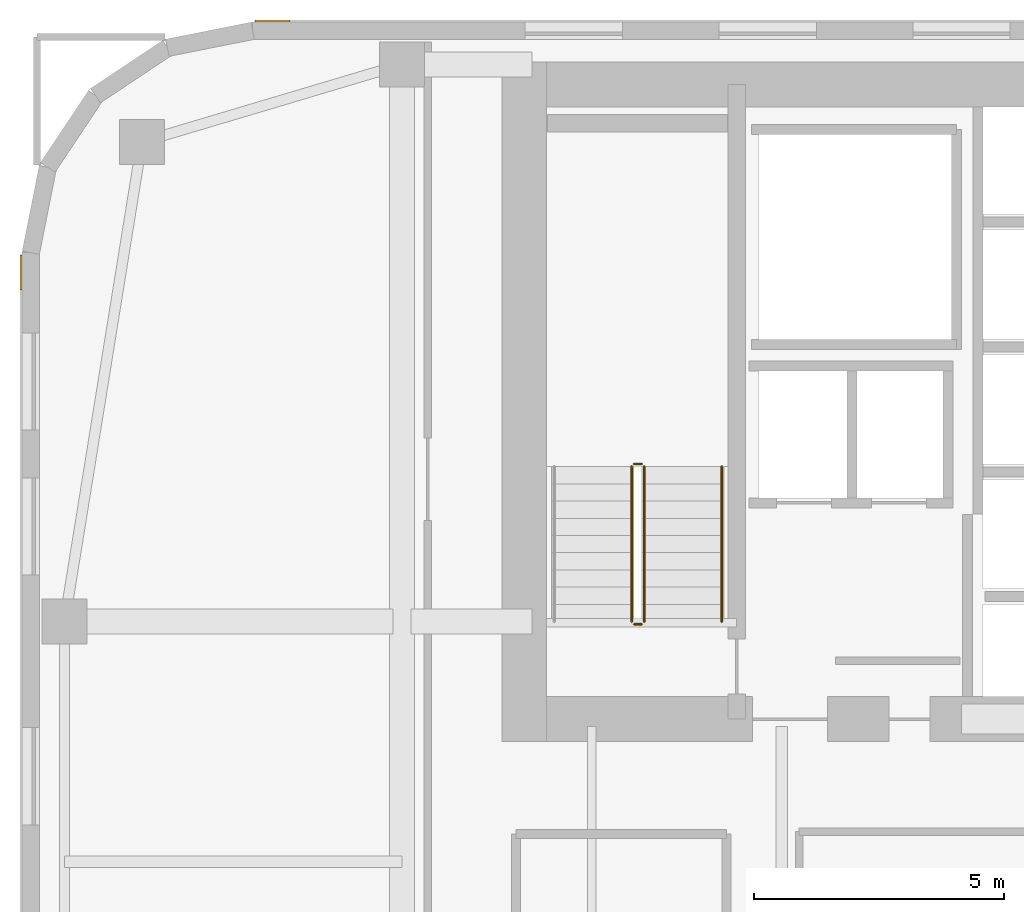
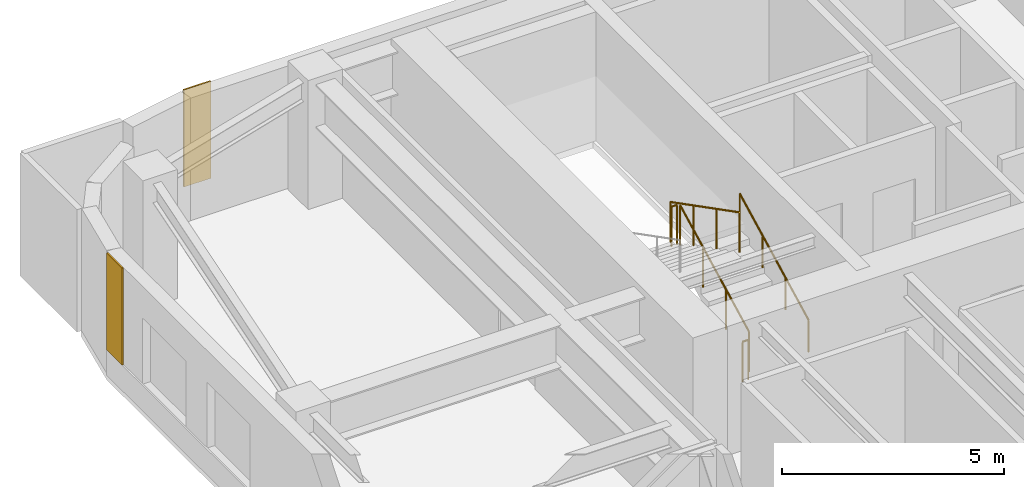
# One storey, part 22 of 24: 5 railings, 2 coverings.
"""IFC4 building model written with IfcOpenShell, lengths in metres."""

from ifc_helpers import new_model, si_unit, direction, frame, origin, origin_2d, place, context, subcontext, project, spatial, polyline, circle, outline, extrude, material, layer, layer_set, type_object, element, save


model = new_model("IFC4")

# Units and contexts
model_context = context("Model", 3, precision=1e-05, world=origin(), true_north=direction((0.0, 1.0)))
body_context = subcontext(model_context, "Body", "Model", "MODEL_VIEW")
ifc_project = project(units=[si_unit("LENGTHUNIT", "METRE"), si_unit("AREAUNIT", "SQUARE_METRE"), si_unit("VOLUMEUNIT", "CUBIC_METRE"), si_unit("PLANEANGLEUNIT", "RADIAN"), si_unit("MASSUNIT", "GRAM", prefix="KILO")], contexts=[model_context])

# Site, building, storey
site_placement = place(None, origin())
site = spatial("IfcSite", under=ifc_project, at=site_placement, CompositionType="ELEMENT")
building_placement = place(site_placement, origin())
building = spatial("IfcBuilding", under=site, at=building_placement, Name="Tolvann Quenvar Hotel", CompositionType="ELEMENT")
storey_placement = place(building_placement, frame((0.0, 0.0, 88.800048828125)))
storey = spatial("IfcBuildingStorey", under=building, at=storey_placement, Name="L22", CompositionType="ELEMENT", Elevation=88.800048828125)

# Coverings
ifc_material_1 = material(Name="Kiln-fired red architectural face brick cladding", Category="masonry")
ifc_layer = layer(ifc_material_1, 0.0400390625)
ifc_layer_set = layer_set([ifc_layer], Name="Kiln-fired red architectural face brick cladding")
covering_type = type_object("IfcCoveringType", Name="COV_CLAD_BRICK_40", PredefinedType="CLADDING", material=ifc_layer_set)
covering_1_placement = place(storey_placement, frame((0.0, 0.0, 0.699951171875)))
element("IfcCovering", 1, at=covering_1_placement, inside=storey, type_object=covering_type, Name="Brick Pier Cladding (L22-E18-P2)", PredefinedType="CLADDING", context=body_context, shape_type="SweptSolid", body=[
    extrude(outline(polyline([(5.3671875, 46.0), (4.667236328125, 46.0), (4.667236328125, 46.0400390625), (5.3671875, 46.0400390625), (5.3671875, 46.0)])), origin(), (0.0, 0.0, 1.0), 2.669921875),
])
covering_2_placement = place(storey_placement, frame((0.0, 0.0, 0.699951171875)))
element("IfcCovering", 2, at=covering_2_placement, inside=storey, type_object=covering_type, Name="Brick Pier Cladding (L22-E23-P1)", PredefinedType="CLADDING", context=body_context, shape_type="SweptSolid", body=[
    extrude(outline(polyline([(0.0, 41.332763671875), (0.0, 40.6328125), (-0.0400390625, 40.6328125), (-0.0400390625, 41.332763671875), (0.0, 41.332763671875)])), origin(), (0.0, 0.0, 1.0), 2.669921875),
])

# Railings
ifc_material_2 = material(Name="Brushed 316 stainless steel balustrade and handrail", Category="steel")
railing_type_1 = type_object("IfcRailingType", Name="GUARDRAIL", PredefinedType="GUARDRAIL", material=ifc_material_2)
railing_1_placement = place(storey_placement, frame((12.449951171875, 34.0, 0.177490234375)))
element("IfcRailing", 3, at=railing_1_placement, inside=storey, type_object=railing_type_1, Name="L22 ST-C1 stair guard 1", PredefinedType="GUARDRAIL", context=body_context, shape_type="SweptSolid", body=[
    extrude(circle(Radius=0.02392578125, at=origin_2d()), frame((0.0, 0.0, 1.09619140625), z_axis=(0.0, 0.889221982265, 0.45747597342), x_axis=(-1.0, 0.0, 0.0)), (0.0, 0.0, 1.0), 3.49169921875),
    extrude(circle(Radius=0.02099609375, at=origin_2d()), origin(), (0.0, 0.0, 1.0), 1.072021484375),
    extrude(circle(Radius=0.02099609375, at=origin_2d()), frame((0.0, 1.034912109375, 0.532470703125)), (0.0, 0.0, 1.0), 1.072021484375),
    extrude(circle(Radius=0.02099609375, at=origin_2d()), frame((0.0, 2.070068359375, 1.06494140625)), (0.0, 0.0, 1.0), 1.072021484375),
    extrude(circle(Radius=0.02099609375, at=origin_2d()), frame((0.0, 3.10498046875, 1.597412109375)), (0.0, 0.0, 1.0), 1.072021484375),
])
railing_2_placement = place(storey_placement, frame((12.39990234375, 37.155029296875, 1.77490234375)))
element("IfcRailing", 4, at=railing_2_placement, inside=storey, type_object=railing_type_1, Name="L22 ST-C1 stair guard 2", PredefinedType="GUARDRAIL", context=body_context, shape_type="SweptSolid", body=[
    extrude(circle(Radius=0.02392578125, at=origin_2d()), frame((0.0, 0.0, 1.09619140625), z_axis=(-1.0, 0.0, 0.0), x_axis=(0.0, -1.0, 0.0)), (0.0, 0.0, 1.0), 0.14990234375),
    extrude(circle(Radius=0.02099609375, at=origin_2d()), origin(), (0.0, 0.0, 1.0), 1.072021484375),
    extrude(circle(Radius=0.02099609375, at=origin_2d()), frame((-0.14990234375, 0.0, 0.0)), (0.0, 0.0, 1.0), 1.072021484375),
])
railing_3_placement = place(storey_placement, frame((12.199951171875, 37.10498046875, 1.952392578125)))
element("IfcRailing", 5, at=railing_3_placement, inside=storey, type_object=railing_type_1, Name="L22 ST-C1 stair guard 3", PredefinedType="GUARDRAIL", context=body_context, shape_type="SweptSolid", body=[
    extrude(circle(Radius=0.02392578125, at=origin_2d()), frame((0.0, 0.0, 1.09619140625), z_axis=(0.0, -0.88919353882, 0.457531256332), x_axis=(1.0, 0.0, 0.0)), (0.0, 0.0, 1.0), 3.491943359375),
    extrude(circle(Radius=0.02099609375, at=origin_2d()), origin(), (0.0, 0.0, 1.0), 1.072021484375),
    extrude(circle(Radius=0.02099609375, at=origin_2d()), frame((0.0, -1.034912109375, 0.532470703125)), (0.0, 0.0, 1.0), 1.072021484375),
    extrude(circle(Radius=0.02099609375, at=origin_2d()), frame((0.0, -2.070068359375, 1.065185546875)), (0.0, 0.0, 1.0), 1.072021484375),
    extrude(circle(Radius=0.02099609375, at=origin_2d()), frame((0.0, -3.10498046875, 1.59765625)), (0.0, 0.0, 1.0), 1.072021484375),
])
railing_4_placement = place(storey_placement, frame((12.39990234375, 33.949951171875, 0.0)))
element("IfcRailing", 6, at=railing_4_placement, inside=storey, type_object=railing_type_1, Name="L22 ST-C1 stair guard 4", PredefinedType="GUARDRAIL", context=body_context, shape_type="SweptSolid", body=[
    extrude(circle(Radius=0.02392578125, at=origin_2d()), frame((0.0, 0.0, 1.09619140625), z_axis=(-1.0, 0.0, 0.0), x_axis=(0.0, -1.0, 0.0)), (0.0, 0.0, 1.0), 0.14990234375),
    extrude(circle(Radius=0.02099609375, at=origin_2d()), origin(), (0.0, 0.0, 1.0), 1.072021484375),
    extrude(circle(Radius=0.02099609375, at=origin_2d()), frame((-0.14990234375, 0.0, 0.0)), (0.0, 0.0, 1.0), 1.072021484375),
])
railing_type_2 = type_object("IfcRailingType", Name="HANDRAIL", PredefinedType="HANDRAIL", material=ifc_material_2)
railing_5_placement = place(storey_placement, frame((14.0, 34.0, 0.177490234375)))
element("IfcRailing", 7, at=railing_5_placement, inside=storey, type_object=railing_type_2, Name="L22 ST-C1 stair handrail 1", PredefinedType="HANDRAIL", context=body_context, shape_type="SweptSolid", body=[
    extrude(circle(Radius=0.02392578125, at=origin_2d()), frame((0.0, 0.0, 0.8759765625), z_axis=(0.0, 0.889221982265, 0.45747597342), x_axis=(-1.0, 0.0, 0.0)), (0.0, 0.0, 1.0), 3.49169921875),
    extrude(circle(Radius=0.02099609375, at=origin_2d()), origin(), (0.0, 0.0, 1.0), 0.851806640625),
    extrude(circle(Radius=0.02099609375, at=origin_2d()), frame((0.0, 1.034912109375, 0.532470703125)), (0.0, 0.0, 1.0), 0.851806640625),
    extrude(circle(Radius=0.02099609375, at=origin_2d()), frame((0.0, 2.070068359375, 1.06494140625)), (0.0, 0.0, 1.0), 0.851806640625),
    extrude(circle(Radius=0.02099609375, at=origin_2d()), frame((0.0, 3.10498046875, 1.597412109375)), (0.0, 0.0, 1.0), 0.851806640625),
])

save(model, "model.ifc")
